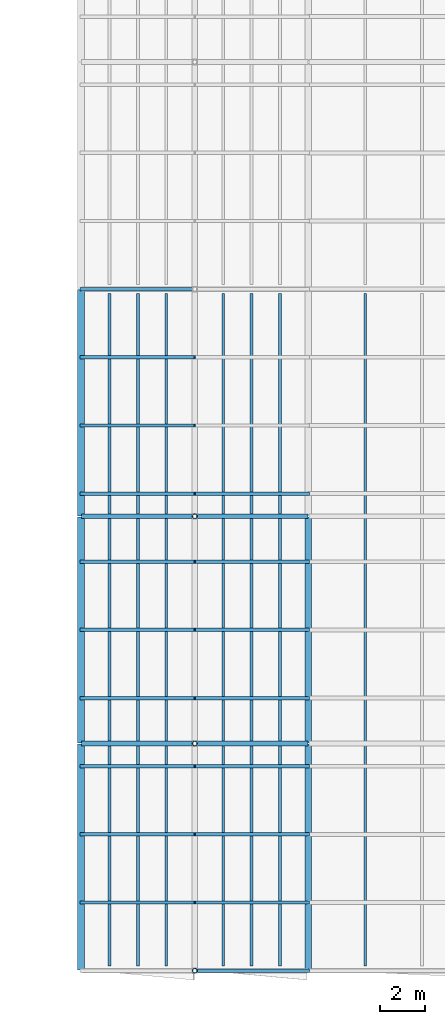
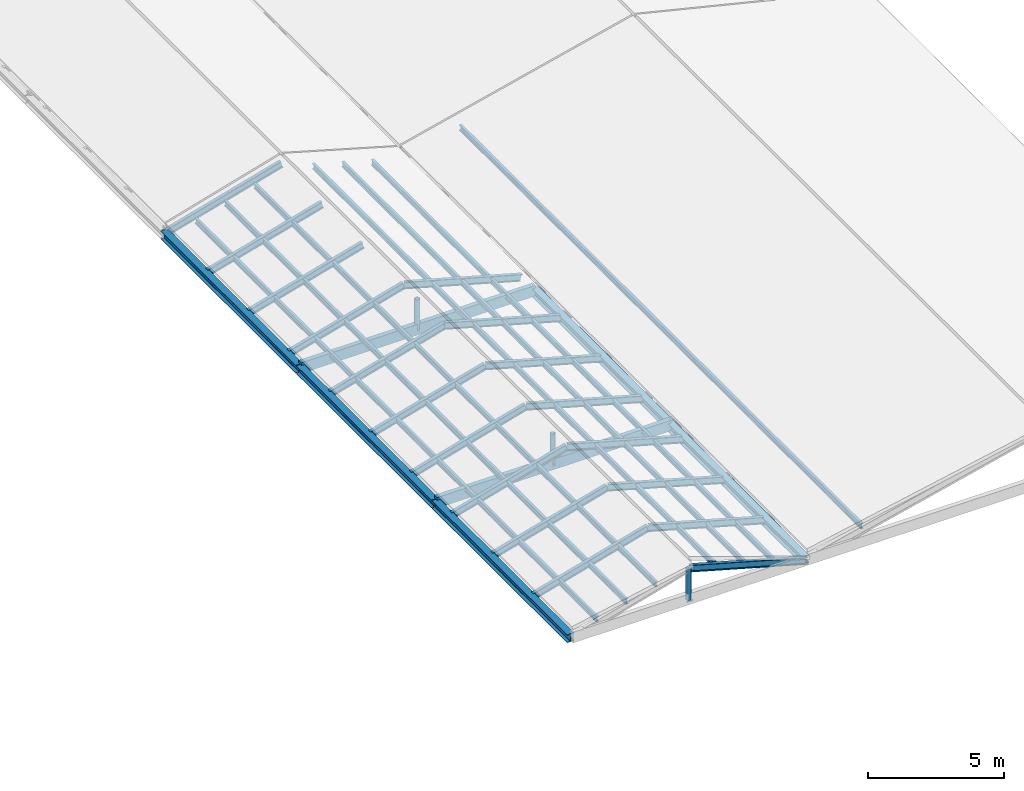
# One storey, part 57 of 90: 28 members, 7 beams.
"""IFC4 building model written with IfcOpenShell, lengths in metres."""

from ifc_helpers import new_model, si_unit, direction, frame, origin, origin_2d, place, context, subcontext, project, spatial, rectangle, hollow_circle, i_section, extrude, material, material_profile, profile_set, type_object, element, save


model = new_model("IFC4")

# Units and contexts
model_context = context("Model", 3, precision=1e-05, world=origin(), true_north=direction((0.0, 1.0)))
body_context = subcontext(model_context, "Body", "Model", "MODEL_VIEW")
ifc_project = project(units=[si_unit("LENGTHUNIT", "METRE"), si_unit("AREAUNIT", "SQUARE_METRE"), si_unit("VOLUMEUNIT", "CUBIC_METRE"), si_unit("PLANEANGLEUNIT", "RADIAN"), si_unit("MASSUNIT", "GRAM", prefix="KILO"), si_unit("THERMODYNAMICTEMPERATUREUNIT", "KELVIN"), si_unit("POWERUNIT", "WATT")], contexts=[model_context])

# Site, building, storey
site_placement = place(None, origin())
site = spatial("IfcSite", under=ifc_project, at=site_placement, CompositionType="ELEMENT")
building_placement = place(site_placement, origin())
building = spatial("IfcBuilding", under=site, at=building_placement, Name="Korenveer Ferry Terminal", CompositionType="ELEMENT")
storey_placement = place(building_placement, frame((0.0, 0.0, 22.199951171875)))
storey = spatial("IfcBuildingStorey", under=building, at=storey_placement, Name="RF", CompositionType="ELEMENT", Elevation=22.199951171875)

# Beams
ifc_material_1 = material(Name="Steel S355", Category="steel")
ifc_material_profile_1 = material_profile(ifc_material_1, i_section(OverallWidth=0.300048828125, OverallDepth=0.360107421875, WebThickness=0.012451171875, FlangeThickness=0.0224609375, FilletRadius=0.027099609375, at=origin_2d()), Name="HEB 360")
ifc_profile_set_1 = profile_set([ifc_material_profile_1], Name="Steel S355")
beam_type_1 = type_object("IfcBeamType", Name="STR-BM-HEB360", PredefinedType="BEAM", material=ifc_profile_set_1)
for number, where, z_axis, x_axis, name in (
    (1, (156.0, 20.02001953125, -7.619873046875), (0.0, 1.0, 0.0), (-1.0, 0.0, 0.0), "Wing eave beam EAST 138"),
    (2, (156.0, 30.02001953125, -7.619873046875), (0.0, 1.0, 0.0), (-1.0, 0.0, 0.0), "Wing eave beam EAST 139"),
    (3, (146.0, 20.02001953125, -7.619873046875), (0.0, 1.0, 0.0), (-1.0, 0.0, 0.0), "Wing eave beam EASTC 158"),
    (4, (146.0, 30.02001953125, -7.619873046875), (0.0, 1.0, 0.0), (-1.0, 0.0, 0.0), "Wing eave beam EASTC 159"),
    (5, (146.0, 40.02001953125, -7.619873046875), (0.0, 1.0, 0.0), (-1.0, 0.0, 0.0), "Wing eave beam EASTC 160"),
):
    element("IfcBeam", number, at=place(storey_placement, frame(where, z_axis=z_axis, x_axis=x_axis)), inside=storey, type_object=beam_type_1, Name=name, PredefinedType="BEAM", context=body_context, shape_type="SweptSolid", body=[
        extrude(i_section(OverallWidth=0.300048828125, OverallDepth=0.360107421875, WebThickness=0.012451171875, FlangeThickness=0.0224609375, FilletRadius=0.027099609375, at=origin_2d()), origin(), (0.0, 0.0, 1.0), 9.9599609375),
    ])

# Members
ifc_material_profile_2 = material_profile(ifc_material_1, i_section(OverallWidth=0.1201171875, OverallDepth=0.239990234375, WebThickness=0.006103515625, FlangeThickness=0.009765625, FilletRadius=0.014892578125, at=origin_2d()), Name="IPE 240")
ifc_profile_set_2 = profile_set([ifc_material_profile_2], Name="Steel S355")
member_type_1 = type_object("IfcMemberType", Name="STR-PUR-IPE240", PredefinedType="PURLIN", material=ifc_profile_set_2)
for number, where, z_axis, x_axis, name in (
    (6, (158.5, 20.199951171875, -7.079833984375), (0.0, 1.0, 0.0), (-1.0, 0.0, 0.0), "Pitched wing roof steel purlin 253"),
    (7, (147.25, 20.199951171875, -7.329833984375), (0.0, 1.0, 0.0), (-1.0, 0.0, 0.0), "Pitched wing roof steel purlin 265"),
    (8, (148.5, 20.199951171875, -6.97998046875), (0.0, 1.0, 0.0), (-1.0, 0.0, 0.0), "Pitched wing roof steel purlin 267"),
    (9, (149.75, 20.199951171875, -6.6298828125), (0.0, 1.0, 0.0), (-1.0, 0.0, 0.0), "Pitched wing roof steel purlin 269"),
    (10, (152.25, 20.199951171875, -6.6298828125), (0.0, 1.0, 0.0), (-1.0, 0.0, 0.0), "Pitched wing roof steel purlin 271"),
    (11, (153.5, 20.199951171875, -6.97998046875), (0.0, 1.0, 0.0), (-1.0, 0.0, 0.0), "Pitched wing roof steel purlin 273"),
    (12, (154.75, 20.199951171875, -7.329833984375), (0.0, 1.0, 0.0), (-1.0, 0.0, 0.0), "Pitched wing roof steel purlin 275"),
):
    element("IfcMember", number, at=place(storey_placement, frame(where, z_axis=z_axis, x_axis=x_axis)), inside=storey, type_object=member_type_1, Name=name, PredefinedType="PURLIN", context=body_context, shape_type="SweptSolid", body=[
        extrude(i_section(OverallWidth=0.1201171875, OverallDepth=0.239990234375, WebThickness=0.006103515625, FlangeThickness=0.009765625, FilletRadius=0.014892578125, at=origin_2d()), origin(), (0.0, 0.0, 1.0), 29.60009765625),
    ])
ifc_material_profile_3 = material_profile(ifc_material_1, i_section(OverallWidth=0.14990234375, OverallDepth=0.300048828125, WebThickness=0.007080078125, FlangeThickness=0.0107421875, FilletRadius=0.014892578125, at=origin_2d()), Name="IPE 300")
ifc_profile_set_3 = profile_set([ifc_material_profile_3], Name="Steel S355")
member_type_2 = type_object("IfcMemberType", Name="STR-RAF-IPE300", PredefinedType="RAFTER", material=ifc_profile_set_3)
for number, where, z_axis, x_axis, name in (
    (13, (151.0, 20.0, -6.219970703125), (0.962968902935, 0.0, -0.269612484836), (0.0, 1.0, 0.0), "Pitched roof rafter 44"),
    (14, (146.0, 23.0, -7.619873046875), (0.962968902935, 0.0, 0.269612484836), (0.0, 1.0, 0.0), "Pitched roof rafter 45"),
    (15, (151.0, 23.0, -6.219970703125), (0.962968902935, 0.0, -0.269612484836), (0.0, 1.0, 0.0), "Pitched roof rafter 46"),
    (16, (146.0, 26.0, -7.619873046875), (0.962968902935, 0.0, 0.269612484836), (0.0, 1.0, 0.0), "Pitched roof rafter 47"),
    (17, (151.0, 26.0, -6.219970703125), (0.962968902935, 0.0, -0.269612484836), (0.0, 1.0, 0.0), "Pitched roof rafter 48"),
    (18, (146.0, 29.0, -7.619873046875), (0.962968902935, 0.0, 0.269612484836), (0.0, 1.0, 0.0), "Pitched roof rafter 49"),
    (19, (151.0, 29.0, -6.219970703125), (0.962968902935, 0.0, -0.269612484836), (0.0, 1.0, 0.0), "Pitched roof rafter 50"),
    (20, (146.0, 32.0, -7.619873046875), (0.962968902935, 0.0, 0.269612484836), (0.0, 1.0, 0.0), "Pitched roof rafter 51"),
    (21, (151.0, 32.0, -6.219970703125), (0.962968902935, 0.0, -0.269612484836), (0.0, 1.0, 0.0), "Pitched roof rafter 52"),
    (22, (146.0, 35.0, -7.619873046875), (0.962968902935, 0.0, 0.269612484836), (0.0, 1.0, 0.0), "Pitched roof rafter 53"),
    (23, (151.0, 35.0, -6.219970703125), (0.962968902935, 0.0, -0.269612484836), (0.0, 1.0, 0.0), "Pitched roof rafter 54"),
    (24, (146.0, 38.0, -7.619873046875), (0.962968902935, 0.0, 0.269612484836), (0.0, 1.0, 0.0), "Pitched roof rafter 55"),
    (25, (151.0, 38.0, -6.219970703125), (0.962968902935, 0.0, -0.269612484836), (0.0, 1.0, 0.0), "Pitched roof rafter 56"),
    (26, (146.0, 41.0, -7.619873046875), (0.962968902935, 0.0, 0.269612484836), (0.0, 1.0, 0.0), "Pitched roof rafter 57"),
    (27, (151.0, 41.0, -6.219970703125), (0.962968902935, 0.0, -0.269612484836), (0.0, 1.0, 0.0), "Pitched roof rafter 58"),
    (28, (146.0, 44.0, -7.619873046875), (0.962968902935, 0.0, 0.269612484836), (0.0, 1.0, 0.0), "Pitched roof rafter 59"),
    (29, (146.0, 47.0, -7.619873046875), (0.962968902935, 0.0, 0.269612484836), (0.0, 1.0, 0.0), "Pitched roof rafter 61"),
    (30, (146.0, 50.0, -7.619873046875), (0.962968902935, 0.0, 0.269612484836), (0.0, 1.0, 0.0), "Pitched roof rafter 63"),
):
    element("IfcMember", number, at=place(storey_placement, frame(where, z_axis=z_axis, x_axis=x_axis)), inside=storey, type_object=member_type_2, Name=name, PredefinedType="RAFTER", context=body_context, shape_type="SweptSolid", body=[
        extrude(i_section(OverallWidth=0.14990234375, OverallDepth=0.300048828125, WebThickness=0.007080078125, FlangeThickness=0.0107421875, FilletRadius=0.014892578125, at=origin_2d()), origin(), (0.0, 0.0, 1.0), 5.1923828125),
    ])

# Beams
ifc_material_2 = material(Name="Glulam GL28h", Category="wood")
ifc_material_profile_4 = material_profile(ifc_material_2, rectangle(XDim=0.199951171875, YDim=0.47998046875, at=origin_2d()), Name="GL 200x480")
ifc_profile_set_4 = profile_set([ifc_material_profile_4], Name="Glulam GL28h")
beam_type_2 = type_object("IfcBeamType", Name="STR-RFG-GL200", PredefinedType="USERDEFINED", material=ifc_profile_set_4)
for number, where, z_axis, x_axis, name in (
    (31, (146.02001953125, 30.0, -7.56005859375), (1.0, 0.0, 0.0), (0.0, 1.0, 0.0), "Wing roof collar tie EASTC 166"),
    (32, (146.02001953125, 40.0, -7.56005859375), (1.0, 0.0, 0.0), (0.0, 1.0, 0.0), "Wing roof collar tie EASTC 167"),
):
    element("IfcBeam", number, at=place(storey_placement, frame(where, z_axis=z_axis, x_axis=x_axis)), inside=storey, type_object=beam_type_2, Name=name, ObjectType="ROOF GIRDER", PredefinedType="USERDEFINED", context=body_context, shape_type="SweptSolid", body=[
        extrude(rectangle(XDim=0.199951171875, YDim=0.47998046875, at=origin_2d()), origin(), (0.0, 0.0, 1.0), 9.9599609375),
    ])

# Members
ifc_material_profile_5 = material_profile(ifc_material_1, hollow_circle(Radius=0.109619140625, WallThickness=0.012451171875, at=origin_2d()), Name="CHS 219.1x12.5")
ifc_profile_set_5 = profile_set([ifc_material_profile_5], Name="Steel S355")
member_type_3 = type_object("IfcMemberType", Name="STR-STT-CHS219", PredefinedType="STRUT", material=ifc_profile_set_5)
for number, where, z_axis, x_axis, name in (
    (33, (151.0, 20.0, -7.619873046875), (0.0, 0.0, 1.0), (1.0, 0.0, 0.0), "Wing ridge strut STTWR-EASTC-Y20"),
    (34, (151.0, 30.0, -7.619873046875), (0.0, 0.0, 1.0), (1.0, 0.0, 0.0), "Wing ridge strut STTWR-EASTC-Y30"),
    (35, (151.0, 40.0, -7.619873046875), (0.0, 0.0, 1.0), (1.0, 0.0, 0.0), "Wing ridge strut STTWR-EASTC-Y40"),
):
    element("IfcMember", number, at=place(storey_placement, frame(where, z_axis=z_axis, x_axis=x_axis)), inside=storey, type_object=member_type_3, Name=name, PredefinedType="STRUT", context=body_context, shape_type="SweptSolid", body=[
        extrude(hollow_circle(Radius=0.109619140625, WallThickness=0.012451171875, at=origin_2d()), origin(), (0.0, 0.0, 1.0), 1.39990234375),
    ])

save(model, "model.ifc")
